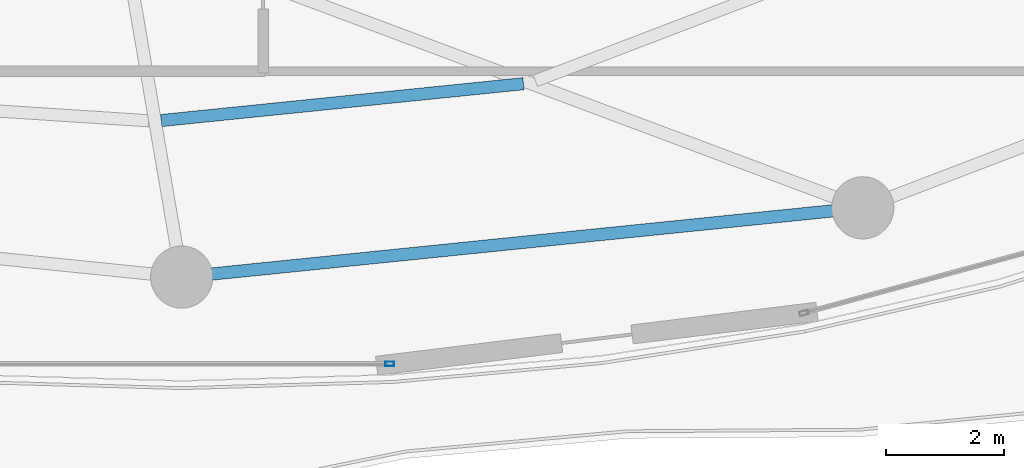
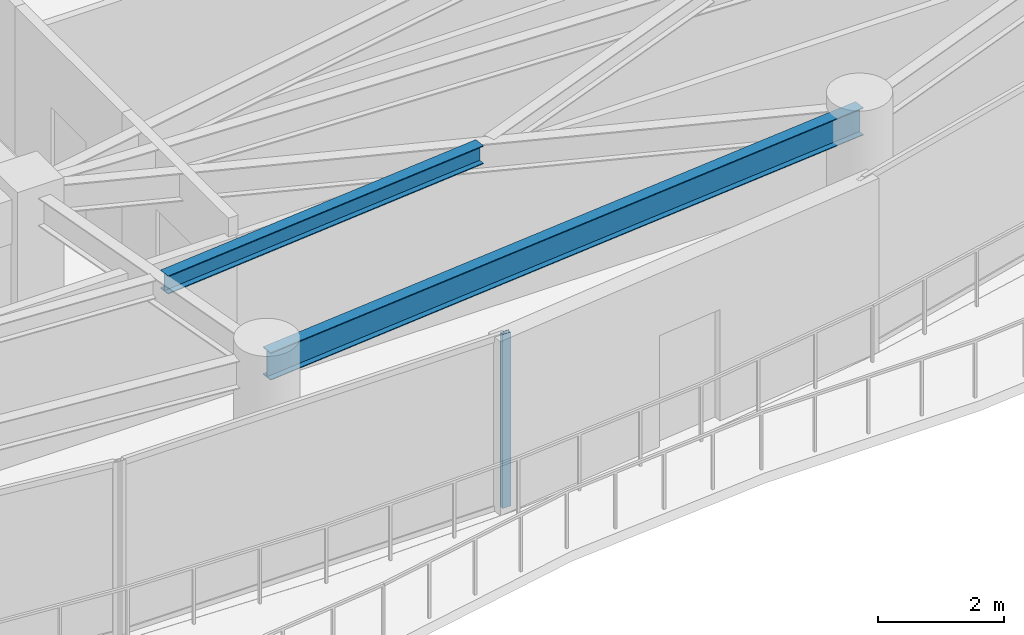
# One storey, part 9 of 28: 2 beams, 1 member, 1 element without a shape of its own.
"""IFC4 building model written with IfcOpenShell, lengths in metres."""

from ifc_helpers import new_model, si_unit, direction, frame, origin, origin_2d, place, context, subcontext, project, spatial, hollow_rectangle, i_section, extrude, material, layer, layer_set, material_profile, profile_set, type_object, element, aggregate, save


model = new_model("IFC4")

# Units and contexts
model_context = context("Model", 3, precision=1e-05, world=origin(), true_north=direction((0.0, 1.0)))
body_context = subcontext(model_context, "Body", "Model", "MODEL_VIEW")
ifc_project = project(units=[si_unit("LENGTHUNIT", "METRE"), si_unit("AREAUNIT", "SQUARE_METRE"), si_unit("VOLUMEUNIT", "CUBIC_METRE"), si_unit("PLANEANGLEUNIT", "RADIAN"), si_unit("MASSUNIT", "GRAM", prefix="KILO")], contexts=[model_context])

# Site, building, storey
site_placement = place(None, origin())
site = spatial("IfcSite", under=ifc_project, at=site_placement, CompositionType="ELEMENT")
building_placement = place(site_placement, origin())
building = spatial("IfcBuilding", under=site, at=building_placement, Name="Kazevale Care Tower and Concert Hall", CompositionType="ELEMENT")
storey_placement = place(building_placement, frame((0.0, 0.0, 228.0)))
storey = spatial("IfcBuildingStorey", under=building, at=storey_placement, Name="L60", CompositionType="ELEMENT", Elevation=228.0)

# Curtain wall, member
ifc_material_1 = material(Name="Aluminium 6063-T6 and Low-E Glass", Category="aluminium")
ifc_layer = layer(ifc_material_1, 0.179931640625)
ifc_layer_set = layer_set([ifc_layer], Name="Aluminium 6063-T6 and Low-E Glass")
curtain_wall_type = type_object("IfcCurtainWallType", Name="Sheltered Concave Balcony Curtain Wall CW-5", PredefinedType="NOTDEFINED", material=ifc_layer_set)
curtain_wall_placement = place(storey_placement, origin())
curtain_wall = element("IfcCurtainWall", 1, at=curtain_wall_placement, inside=storey, type_object=curtain_wall_type, Name="cw:L60:f06", PredefinedType="NOTDEFINED")
ifc_material_2 = material(Name="Aluminium 6063-T6", Category="aluminium")
ifc_material_profile_1 = material_profile(ifc_material_2, hollow_rectangle(XDim=0.074951171875, YDim=0.14990234375, WallThickness=0.00390625, at=origin_2d()), Name="ALU75x150x4")
ifc_profile_set_1 = profile_set([ifc_material_profile_1], Name="Aluminium 6063-T6")
member_type = type_object("IfcMemberType", Name="CW-5 Mullion ALU75x150x4", PredefinedType="MULLION", material=ifc_profile_set_1)
member_placement = place(storey_placement, frame((48.512451171875, 16.284912109375, 0.0), z_axis=(0.0, 0.0, 1.0), x_axis=(0.0, -1.0, 0.0)))
member = element("IfcMember", 2, at=member_placement, type_object=member_type, Name="CW-5 mullion 1", PredefinedType="MULLION", context=body_context, shape_type="SweptSolid", body=[
    extrude(hollow_rectangle(XDim=0.074951171875, YDim=0.14990234375, WallThickness=0.00390625, at=origin_2d()), origin(), (0.0, 0.0, 1.0), 3.360107421875),
])
aggregate(curtain_wall, [member])

# Beams
ifc_material_3 = material(Name="Steel ASTM A572 Gr 50", Category="steel")
ifc_material_profile_2 = material_profile(ifc_material_3, i_section(OverallWidth=0.205078125, OverallDepth=0.35400390625, WebThickness=0.009521484375, FlangeThickness=0.016845703125, at=origin_2d()), Name="W360x79")
ifc_profile_set_2 = profile_set([ifc_material_profile_2], Name="Steel ASTM A572 Gr 50")
beam_type_1 = type_object("IfcBeamType", Name="Secondary Floor Joist W360x79", PredefinedType="JOIST", material=ifc_profile_set_2)
beam_1_placement = place(storey_placement, frame((44.654052734375, 20.39306640625, 3.18310546875), z_axis=(0.994872697807, 0.10113513316, 0.0), x_axis=(-0.10113513316, 0.994872697807, 0.0)))
element("IfcBeam", 3, at=beam_1_placement, inside=storey, type_object=beam_type_1, Name="beam:L60:joist:13", PredefinedType="JOIST", context=body_context, shape_type="SweptSolid", body=[
    extrude(i_section(OverallWidth=0.205078125, OverallDepth=0.35400390625, WebThickness=0.009521484375, FlangeThickness=0.016845703125, at=origin_2d()), origin(), (0.0, 0.0, 1.0), 6.1484375),
])
ifc_material_profile_3 = material_profile(ifc_material_3, i_section(OverallWidth=0.208984375, OverallDepth=0.532958984375, WebThickness=0.01025390625, FlangeThickness=0.015625, at=origin_2d()), Name="W530x92")
ifc_profile_set_3 = profile_set([ifc_material_profile_3], Name="Steel ASTM A572 Gr 50")
beam_type_2 = type_object("IfcBeamType", Name="Upper Ring Beam W530x92", PredefinedType="BEAM", material=ifc_profile_set_3)
beam_2_placement = place(storey_placement, frame((45.0, 17.75, 3.093505859375), z_axis=(0.994865089307, 0.101209950492, 0.0), x_axis=(-0.101209950492, 0.994865089307, 0.0)))
element("IfcBeam", 4, at=beam_2_placement, inside=storey, type_object=beam_type_2, Name="beam:L60:ring:13", PredefinedType="BEAM", context=body_context, shape_type="SweptSolid", body=[
    extrude(i_section(OverallWidth=0.208984375, OverallDepth=0.532958984375, WebThickness=0.01025390625, FlangeThickness=0.015625, at=origin_2d()), origin(), (0.0, 0.0, 1.0), 11.559326171875),
])

save(model, "model.ifc")
